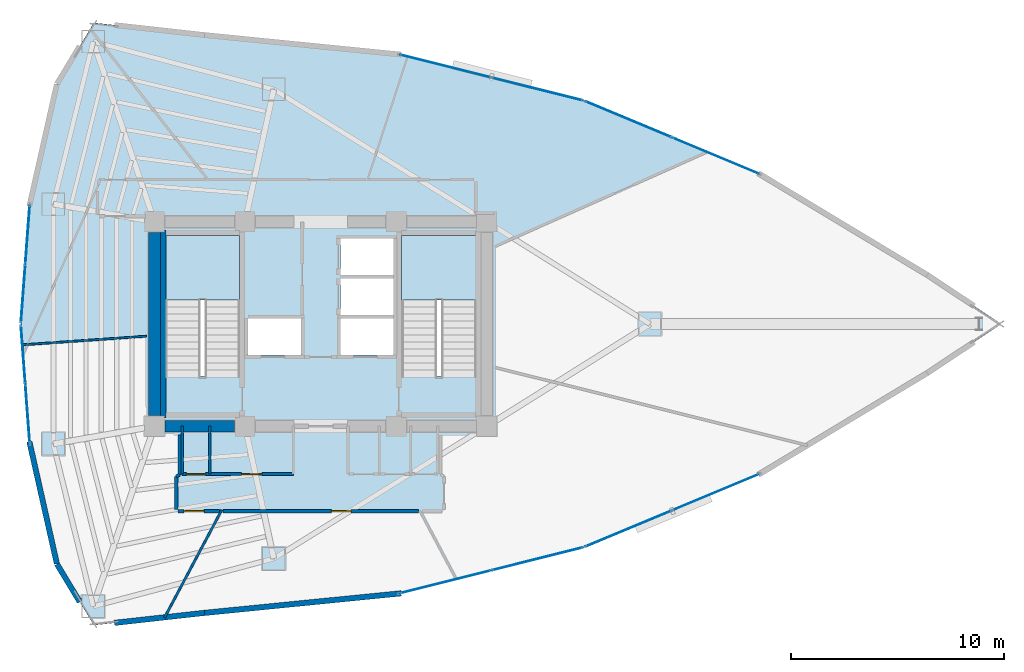
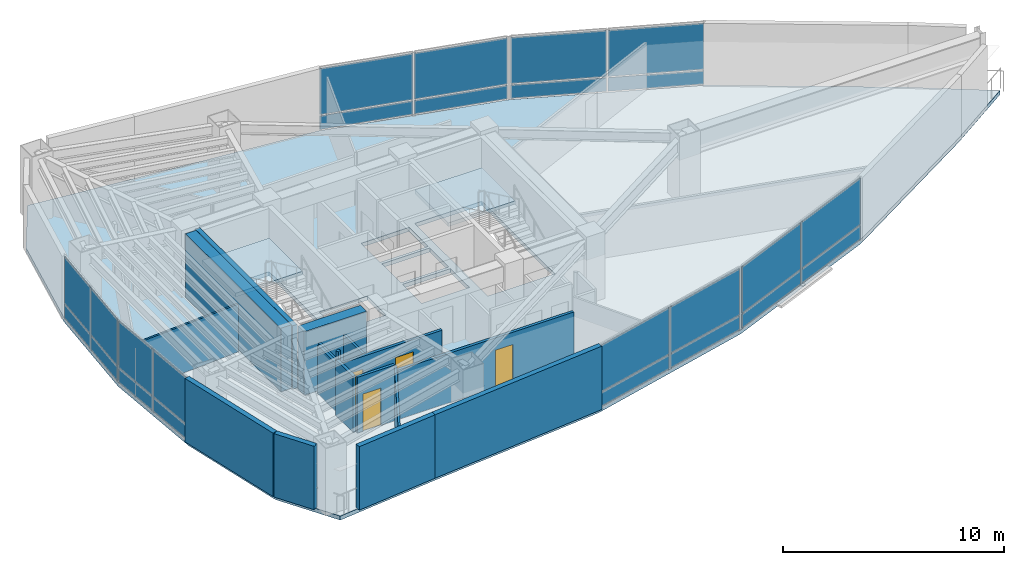
# One storey, part 13 of 18: 24 plates, 17 walls, 4 doors, 3 slabs, 4 openings, 8 elements without a shape of their own.
"""IFC4 building model written with IfcOpenShell, lengths in metres."""

from ifc_helpers import new_model, si_unit, direction, frame, frame_2d, origin, origin_2d, place, context, subcontext, project, spatial, polyline, rectangle, outline, extrude, material, layer, layer_set, type_object, element, fill, aggregate, save


model = new_model("IFC4")

# Units and contexts
model_context = context("Model", 3, precision=1e-05, world=origin(), true_north=direction((0.0, 1.0)))
body_context = subcontext(model_context, "Body", "Model", "MODEL_VIEW")
ifc_project = project(units=[si_unit("LENGTHUNIT", "METRE"), si_unit("AREAUNIT", "SQUARE_METRE"), si_unit("VOLUMEUNIT", "CUBIC_METRE"), si_unit("PLANEANGLEUNIT", "RADIAN"), si_unit("MASSUNIT", "GRAM", prefix="KILO")], contexts=[model_context])

# Site, building, storey
site_placement = place(None, origin())
site = spatial("IfcSite", under=ifc_project, at=site_placement, CompositionType="ELEMENT")
building_placement = place(site_placement, origin())
building = spatial("IfcBuilding", under=site, at=building_placement, Name="Menara Vayukalpa", CompositionType="ELEMENT")
storey_placement = place(building_placement, frame((0.0, 0.0, 158.0400390625)))
storey = spatial("IfcBuildingStorey", under=building, at=storey_placement, Name="L39", CompositionType="ELEMENT", Elevation=158.0400390625)

# Curtain wall, plates
ifc_material_1 = material(Name="Anodised Terracotta Aluminium Alloy 6063-T6", Category="masonry")
ifc_layer_1 = layer(ifc_material_1, 0.179931640625)
ifc_layer_set_1 = layer_set([ifc_layer_1], Name="Anodised Terracotta Aluminium Alloy 6063-T6")
curtain_wall_type = type_object("IfcCurtainWallType", Name="CW-CW4", PredefinedType="USERDEFINED", material=ifc_layer_set_1)
curtain_wall_1_placement = place(storey_placement, origin())
curtain_wall_1 = element("IfcCurtainWall", 1, at=curtain_wall_1_placement, inside=storey, type_object=curtain_wall_type, Name="L39 Sky Bar Cantilever Glazed Curtain Wall CW4 04", ObjectType="UNITISED", PredefinedType="USERDEFINED")
ifc_material_2 = material(Name="Low-E Double Glazing", Category="glass")
ifc_layer_2 = layer(ifc_material_2, 0.0380859375)
ifc_layer_set_2 = layer_set([ifc_layer_2], Name="Low-E Double Glazing")
plate_type = type_object("IfcPlateType", Name="CWP-CW4", PredefinedType="CURTAIN_PANEL", material=ifc_layer_set_2)
plate_1_placement = place(storey_placement, frame((44.1494140625, 29.8955078125, 0.06982421875), z_axis=(0.0, 0.0, 1.0), x_axis=(-0.922878459104, 0.385091352437, 0.0)))
plate_1 = element("IfcPlate", 2, at=plate_1_placement, type_object=plate_type, Name="CW4 panel 1.1", PredefinedType="CURTAIN_PANEL", context=body_context, shape_type="SweptSolid", body=[
    extrude(rectangle(XDim=4.369873046875, YDim=0.0380859375, at=origin_2d()), origin(), (0.0, 0.0, 1.0), 0.7451171875),
])
plate_2_placement = place(storey_placement, frame((44.1494140625, 29.8955078125, 0.885009765625), z_axis=(0.0, 0.0, 1.0), x_axis=(-0.922878459104, 0.385091352437, 0.0)))
plate_2 = element("IfcPlate", 3, at=plate_2_placement, type_object=plate_type, Name="CW4 panel 1.2", PredefinedType="CURTAIN_PANEL", context=body_context, shape_type="SweptSolid", body=[
    extrude(rectangle(XDim=4.369873046875, YDim=0.0380859375, at=origin_2d()), origin(), (0.0, 0.0, 1.0), 2.544921875),
])
plate_3_placement = place(storey_placement, frame((40.04736328125, 31.607421875, 0.06982421875), z_axis=(0.0, 0.0, 1.0), x_axis=(-0.922878459104, 0.385091352437, 0.0)))
plate_3 = element("IfcPlate", 4, at=plate_3_placement, type_object=plate_type, Name="CW4 panel 2.1", PredefinedType="CURTAIN_PANEL", context=body_context, shape_type="SweptSolid", body=[
    extrude(rectangle(XDim=4.369873046875, YDim=0.0380859375, at=origin_2d()), origin(), (0.0, 0.0, 1.0), 0.7451171875),
])
plate_4_placement = place(storey_placement, frame((40.04736328125, 31.607421875, 0.885009765625), z_axis=(0.0, 0.0, 1.0), x_axis=(-0.922878459104, 0.385091352437, 0.0)))
plate_4 = element("IfcPlate", 5, at=plate_4_placement, type_object=plate_type, Name="CW4 panel 2.2", PredefinedType="CURTAIN_PANEL", context=body_context, shape_type="SweptSolid", body=[
    extrude(rectangle(XDim=4.369873046875, YDim=0.0380859375, at=origin_2d()), origin(), (0.0, 0.0, 1.0), 2.544921875),
])
aggregate(curtain_wall_1, [plate_1, plate_2, plate_3, plate_4])

curtain_wall_2_placement = place(storey_placement, origin())
curtain_wall_2 = element("IfcCurtainWall", 6, at=curtain_wall_2_placement, inside=storey, type_object=curtain_wall_type, Name="L39 Sky Bar Cantilever Glazed Curtain Wall CW4 05", ObjectType="UNITISED", PredefinedType="USERDEFINED")
plate_5_placement = place(storey_placement, frame((35.76953125, 33.027099609375, 0.06982421875), z_axis=(0.0, 0.0, 1.0), x_axis=(-0.969997975566, 0.243112993066, 0.0)))
plate_5 = element("IfcPlate", 7, at=plate_5_placement, type_object=plate_type, Name="CW4 panel 1.1", PredefinedType="CURTAIN_PANEL", context=body_context, shape_type="SweptSolid", body=[
    extrude(rectangle(XDim=4.369873046875, YDim=0.0380859375, at=origin_2d()), origin(), (0.0, 0.0, 1.0), 0.7451171875),
])
plate_6_placement = place(storey_placement, frame((35.76953125, 33.027099609375, 0.885009765625), z_axis=(0.0, 0.0, 1.0), x_axis=(-0.969997975566, 0.243112993066, 0.0)))
plate_6 = element("IfcPlate", 8, at=plate_6_placement, type_object=plate_type, Name="CW4 panel 1.2", PredefinedType="CURTAIN_PANEL", context=body_context, shape_type="SweptSolid", body=[
    extrude(rectangle(XDim=4.369873046875, YDim=0.0380859375, at=origin_2d()), origin(), (0.0, 0.0, 1.0), 2.544921875),
])
plate_7_placement = place(storey_placement, frame((31.4580078125, 34.107666015625, 0.06982421875), z_axis=(0.0, 0.0, 1.0), x_axis=(-0.969997975566, 0.243112993066, 0.0)))
plate_7 = element("IfcPlate", 9, at=plate_7_placement, type_object=plate_type, Name="CW4 panel 2.1", PredefinedType="CURTAIN_PANEL", context=body_context, shape_type="SweptSolid", body=[
    extrude(rectangle(XDim=4.369873046875, YDim=0.0380859375, at=origin_2d()), origin(), (0.0, 0.0, 1.0), 0.7451171875),
])
plate_8_placement = place(storey_placement, frame((31.4580078125, 34.107666015625, 0.885009765625), z_axis=(0.0, 0.0, 1.0), x_axis=(-0.969997975566, 0.243112993066, 0.0)))
plate_8 = element("IfcPlate", 10, at=plate_8_placement, type_object=plate_type, Name="CW4 panel 2.2", PredefinedType="CURTAIN_PANEL", context=body_context, shape_type="SweptSolid", body=[
    extrude(rectangle(XDim=4.369873046875, YDim=0.0380859375, at=origin_2d()), origin(), (0.0, 0.0, 1.0), 2.544921875),
])
aggregate(curtain_wall_2, [plate_5, plate_6, plate_7, plate_8])

curtain_wall_3_placement = place(storey_placement, origin())
curtain_wall_3 = element("IfcCurtainWall", 11, at=curtain_wall_3_placement, inside=storey, type_object=curtain_wall_type, Name="L39 Sky Bar Cantilever Glazed Curtain Wall CW4 10", ObjectType="UNITISED", PredefinedType="USERDEFINED")
plate_9_placement = place(storey_placement, frame((11.842041015625, 26.205078125, 0.06982421875), z_axis=(0.0, 0.0, 1.0), x_axis=(-0.074792589364, -0.997199111801, 0.0)))
plate_9 = element("IfcPlate", 12, at=plate_9_placement, type_object=plate_type, Name="CW4 panel 1.1", PredefinedType="CURTAIN_PANEL", context=body_context, shape_type="SweptSolid", body=[
    extrude(rectangle(XDim=2.71142578125, YDim=0.0380859375, at=origin_2d()), origin(), (0.0, 0.0, 1.0), 0.7451171875),
])
plate_10_placement = place(storey_placement, frame((11.842041015625, 26.205078125, 0.885009765625), z_axis=(0.0, 0.0, 1.0), x_axis=(-0.074792589364, -0.997199111801, 0.0)))
plate_10 = element("IfcPlate", 13, at=plate_10_placement, type_object=plate_type, Name="CW4 panel 1.2", PredefinedType="CURTAIN_PANEL", context=body_context, shape_type="SweptSolid", body=[
    extrude(rectangle(XDim=2.71142578125, YDim=0.0380859375, at=origin_2d()), origin(), (0.0, 0.0, 1.0), 2.544921875),
])
plate_11_placement = place(storey_placement, frame((11.6337890625, 23.4267578125, 0.06982421875), z_axis=(0.0, 0.0, 1.0), x_axis=(-0.074792589364, -0.997199111801, 0.0)))
plate_11 = element("IfcPlate", 14, at=plate_11_placement, type_object=plate_type, Name="CW4 panel 2.1", PredefinedType="CURTAIN_PANEL", context=body_context, shape_type="SweptSolid", body=[
    extrude(rectangle(XDim=2.71142578125, YDim=0.0380859375, at=origin_2d()), origin(), (0.0, 0.0, 1.0), 0.7451171875),
])
plate_12_placement = place(storey_placement, frame((11.6337890625, 23.4267578125, 0.885009765625), z_axis=(0.0, 0.0, 1.0), x_axis=(-0.074792589364, -0.997199111801, 0.0)))
plate_12 = element("IfcPlate", 15, at=plate_12_placement, type_object=plate_type, Name="CW4 panel 2.2", PredefinedType="CURTAIN_PANEL", context=body_context, shape_type="SweptSolid", body=[
    extrude(rectangle(XDim=2.71142578125, YDim=0.0380859375, at=origin_2d()), origin(), (0.0, 0.0, 1.0), 2.544921875),
])
aggregate(curtain_wall_3, [plate_9, plate_10, plate_11, plate_12])

curtain_wall_4_placement = place(storey_placement, origin())
curtain_wall_4 = element("IfcCurtainWall", 16, at=curtain_wall_4_placement, inside=storey, type_object=curtain_wall_type, Name="L39 Sky Bar Cantilever Glazed Curtain Wall CW4 11", ObjectType="UNITISED", PredefinedType="USERDEFINED")
plate_13_placement = place(storey_placement, frame((11.6337890625, 20.5732421875, 0.06982421875), z_axis=(0.0, 0.0, 1.0), x_axis=(0.074792589364, -0.997199111801, 0.0)))
plate_13 = element("IfcPlate", 17, at=plate_13_placement, type_object=plate_type, Name="CW4 panel 1.1", PredefinedType="CURTAIN_PANEL", context=body_context, shape_type="SweptSolid", body=[
    extrude(rectangle(XDim=2.71142578125, YDim=0.0380859375, at=origin_2d()), origin(), (0.0, 0.0, 1.0), 0.7451171875),
])
plate_14_placement = place(storey_placement, frame((11.6337890625, 20.5732421875, 0.885009765625), z_axis=(0.0, 0.0, 1.0), x_axis=(0.074792589364, -0.997199111801, 0.0)))
plate_14 = element("IfcPlate", 18, at=plate_14_placement, type_object=plate_type, Name="CW4 panel 1.2", PredefinedType="CURTAIN_PANEL", context=body_context, shape_type="SweptSolid", body=[
    extrude(rectangle(XDim=2.71142578125, YDim=0.0380859375, at=origin_2d()), origin(), (0.0, 0.0, 1.0), 2.544921875),
])
plate_15_placement = place(storey_placement, frame((11.842041015625, 17.794921875, 0.06982421875), z_axis=(0.0, 0.0, 1.0), x_axis=(0.074792589364, -0.997199111801, 0.0)))
plate_15 = element("IfcPlate", 19, at=plate_15_placement, type_object=plate_type, Name="CW4 panel 2.1", PredefinedType="CURTAIN_PANEL", context=body_context, shape_type="SweptSolid", body=[
    extrude(rectangle(XDim=2.71142578125, YDim=0.0380859375, at=origin_2d()), origin(), (0.0, 0.0, 1.0), 0.7451171875),
])
plate_16_placement = place(storey_placement, frame((11.842041015625, 17.794921875, 0.885009765625), z_axis=(0.0, 0.0, 1.0), x_axis=(0.074792589364, -0.997199111801, 0.0)))
plate_16 = element("IfcPlate", 20, at=plate_16_placement, type_object=plate_type, Name="CW4 panel 2.2", PredefinedType="CURTAIN_PANEL", context=body_context, shape_type="SweptSolid", body=[
    extrude(rectangle(XDim=2.71142578125, YDim=0.0380859375, at=origin_2d()), origin(), (0.0, 0.0, 1.0), 2.544921875),
])
aggregate(curtain_wall_4, [plate_13, plate_14, plate_15, plate_16])

curtain_wall_5_placement = place(storey_placement, origin())
curtain_wall_5 = element("IfcCurtainWall", 21, at=curtain_wall_5_placement, inside=storey, type_object=curtain_wall_type, Name="L39 Sky Bar Cantilever Glazed Curtain Wall CW4 16", ObjectType="UNITISED", PredefinedType="USERDEFINED")
plate_17_placement = place(storey_placement, frame((31.4580078125, 9.892333984375, 0.06982421875), z_axis=(0.0, 0.0, 1.0), x_axis=(0.969997975566, 0.243112993066, 0.0)))
plate_17 = element("IfcPlate", 22, at=plate_17_placement, type_object=plate_type, Name="CW4 panel 1.1", PredefinedType="CURTAIN_PANEL", context=body_context, shape_type="SweptSolid", body=[
    extrude(rectangle(XDim=4.369873046875, YDim=0.0380859375, at=origin_2d()), origin(), (0.0, 0.0, 1.0), 0.7451171875),
])
plate_18_placement = place(storey_placement, frame((31.4580078125, 9.892333984375, 0.885009765625), z_axis=(0.0, 0.0, 1.0), x_axis=(0.969997975566, 0.243112993066, 0.0)))
plate_18 = element("IfcPlate", 23, at=plate_18_placement, type_object=plate_type, Name="CW4 panel 1.2", PredefinedType="CURTAIN_PANEL", context=body_context, shape_type="SweptSolid", body=[
    extrude(rectangle(XDim=4.369873046875, YDim=0.0380859375, at=origin_2d()), origin(), (0.0, 0.0, 1.0), 2.544921875),
])
plate_19_placement = place(storey_placement, frame((35.76953125, 10.972900390625, 0.06982421875), z_axis=(0.0, 0.0, 1.0), x_axis=(0.969997975566, 0.243112993066, 0.0)))
plate_19 = element("IfcPlate", 24, at=plate_19_placement, type_object=plate_type, Name="CW4 panel 2.1", PredefinedType="CURTAIN_PANEL", context=body_context, shape_type="SweptSolid", body=[
    extrude(rectangle(XDim=4.369873046875, YDim=0.0380859375, at=origin_2d()), origin(), (0.0, 0.0, 1.0), 0.7451171875),
])
plate_20_placement = place(storey_placement, frame((35.76953125, 10.972900390625, 0.885009765625), z_axis=(0.0, 0.0, 1.0), x_axis=(0.969997975566, 0.243112993066, 0.0)))
plate_20 = element("IfcPlate", 25, at=plate_20_placement, type_object=plate_type, Name="CW4 panel 2.2", PredefinedType="CURTAIN_PANEL", context=body_context, shape_type="SweptSolid", body=[
    extrude(rectangle(XDim=4.369873046875, YDim=0.0380859375, at=origin_2d()), origin(), (0.0, 0.0, 1.0), 2.544921875),
])
aggregate(curtain_wall_5, [plate_17, plate_18, plate_19, plate_20])

curtain_wall_6_placement = place(storey_placement, origin())
curtain_wall_6 = element("IfcCurtainWall", 26, at=curtain_wall_6_placement, inside=storey, type_object=curtain_wall_type, Name="L39 Sky Bar Cantilever Glazed Curtain Wall CW4 17", ObjectType="UNITISED", PredefinedType="USERDEFINED")
plate_21_placement = place(storey_placement, frame((40.04736328125, 12.392578125, 0.06982421875), z_axis=(0.0, 0.0, 1.0), x_axis=(0.922878459104, 0.385091352437, 0.0)))
plate_21 = element("IfcPlate", 27, at=plate_21_placement, type_object=plate_type, Name="CW4 panel 1.1", PredefinedType="CURTAIN_PANEL", context=body_context, shape_type="SweptSolid", body=[
    extrude(rectangle(XDim=4.369873046875, YDim=0.0380859375, at=origin_2d()), origin(), (0.0, 0.0, 1.0), 0.7451171875),
])
plate_22_placement = place(storey_placement, frame((40.04736328125, 12.392578125, 0.885009765625), z_axis=(0.0, 0.0, 1.0), x_axis=(0.922878459104, 0.385091352437, 0.0)))
plate_22 = element("IfcPlate", 28, at=plate_22_placement, type_object=plate_type, Name="CW4 panel 1.2", PredefinedType="CURTAIN_PANEL", context=body_context, shape_type="SweptSolid", body=[
    extrude(rectangle(XDim=4.369873046875, YDim=0.0380859375, at=origin_2d()), origin(), (0.0, 0.0, 1.0), 2.544921875),
])
plate_23_placement = place(storey_placement, frame((44.1494140625, 14.1044921875, 0.06982421875), z_axis=(0.0, 0.0, 1.0), x_axis=(0.922878459104, 0.385091352437, 0.0)))
plate_23 = element("IfcPlate", 29, at=plate_23_placement, type_object=plate_type, Name="CW4 panel 2.1", PredefinedType="CURTAIN_PANEL", context=body_context, shape_type="SweptSolid", body=[
    extrude(rectangle(XDim=4.369873046875, YDim=0.0380859375, at=origin_2d()), origin(), (0.0, 0.0, 1.0), 0.7451171875),
])
plate_24_placement = place(storey_placement, frame((44.1494140625, 14.1044921875, 0.885009765625), z_axis=(0.0, 0.0, 1.0), x_axis=(0.922878459104, 0.385091352437, 0.0)))
plate_24 = element("IfcPlate", 30, at=plate_24_placement, type_object=plate_type, Name="CW4 panel 2.2", PredefinedType="CURTAIN_PANEL", context=body_context, shape_type="SweptSolid", body=[
    extrude(rectangle(XDim=4.369873046875, YDim=0.0380859375, at=origin_2d()), origin(), (0.0, 0.0, 1.0), 2.544921875),
])
aggregate(curtain_wall_6, [plate_21, plate_22, plate_23, plate_24])

# Slab
ifc_material_3 = material(Name="Concrete C40/50", Category="concrete")
ifc_layer_3 = layer(ifc_material_3, 0.219970703125)
ifc_layer_set_3 = layer_set([ifc_layer_3], Name="Concrete C40/50")
slab_type_1 = type_object("IfcSlabType", Name="SLB-FL220", PredefinedType="FLOOR", material=ifc_layer_set_3)
slab_1_placement = place(storey_placement, frame((0.0, 0.0, -0.219970703125)))
element("IfcSlab", 31, at=slab_1_placement, inside=storey, type_object=slab_type_1, Name="L39 Sky Bar Structural Floor Slab", PredefinedType="FLOOR", context=body_context, shape_type="SweptSolid", body=[
    extrude(outline(polyline([(54.086181640625, 19.69970703125), (57.552001953125, 22.0), (54.086181640625, 24.30029296875), (46.235107421875, 29.025390625), (37.961669921875, 32.4775390625), (29.265625, 34.656982421875), (20.1474609375, 35.56396484375), (14.948974609375, 36.13916015625), (13.21630859375, 33.263671875), (11.94921875, 27.6318359375), (11.526611328125, 22.0), (11.94921875, 16.3681640625), (13.21630859375, 10.736328125), (14.948974609375, 7.86083984375), (20.1474609375, 8.43603515625), (29.265625, 9.343017578125), (37.961669921875, 11.5224609375), (46.235107421875, 14.974609375), (54.086181640625, 19.69970703125)]), holes=[polyline([(21.800048828125, 19.550048828125), (21.800048828125, 26.14990234375), (18.300048828125, 26.14990234375), (18.300048828125, 19.550048828125), (21.800048828125, 19.550048828125)]), polyline([(32.89990234375, 19.550048828125), (32.89990234375, 26.14990234375), (29.39990234375, 26.14990234375), (29.39990234375, 19.550048828125), (32.89990234375, 19.550048828125)]), polyline([(22.179931640625, 20.550048828125), (24.679931640625, 20.550048828125), (24.679931640625, 22.27001953125), (22.179931640625, 22.27001953125), (22.179931640625, 20.550048828125)]), polyline([(26.52001953125, 20.550048828125), (29.02001953125, 20.550048828125), (29.02001953125, 22.27001953125), (26.52001953125, 22.27001953125), (26.52001953125, 20.550048828125)]), polyline([(26.52001953125, 24.2900390625), (29.02001953125, 24.2900390625), (29.02001953125, 26.010009765625), (26.52001953125, 26.010009765625), (26.52001953125, 24.2900390625)]), polyline([(26.52001953125, 22.419921875), (29.02001953125, 22.419921875), (29.02001953125, 24.139892578125), (26.52001953125, 24.139892578125), (26.52001953125, 22.419921875)])]), origin(), (0.0, 0.0, 1.0), 0.219970703125),
])

# Stair, slab
ifc_material_4 = material(Name="Precast Concrete C40/50", Category="concrete")
stair_type = type_object("IfcStairType", Name="STR-T04", PredefinedType="DOUBLE_RETURN_STAIR", material=ifc_material_4)
stair_1_placement = place(storey_placement, origin())
stair_1 = element("IfcStair", 32, at=stair_1_placement, inside=storey, type_object=stair_type, Name="L39 Core Exit Stair ST-1", PredefinedType="DOUBLE_RETURN_STAIR")
ifc_material_5 = material(Name="Precast Concrete C40/50", Category="concrete")
ifc_layer_4 = layer(ifc_material_5, 0.199951171875)
ifc_layer_set_4 = layer_set([ifc_layer_4], Name="Precast Concrete C40/50")
slab_type_2 = type_object("IfcSlabType", Name="SLB-LND200", PredefinedType="LANDING", material=ifc_layer_set_4)
slab_2_placement = place(storey_placement, frame((0.0, 0.0, 1.659912109375)))
slab_2 = element("IfcSlab", 33, at=slab_2_placement, type_object=slab_type_2, Name="ST-1 landing 1", PredefinedType="LANDING", context=body_context, shape_type="SweptSolid", body=[
    extrude(outline(polyline([(21.800048828125, 23.1298828125), (21.800048828125, 26.14990234375), (18.300048828125, 26.14990234375), (18.300048828125, 23.1298828125), (21.800048828125, 23.1298828125)])), origin(), (0.0, 0.0, 1.0), 0.199951171875),
])
aggregate(stair_1, [slab_2])

stair_2_placement = place(storey_placement, origin())
stair_2 = element("IfcStair", 34, at=stair_2_placement, inside=storey, type_object=stair_type, Name="L39 Core Exit Stair ST-2", PredefinedType="DOUBLE_RETURN_STAIR")
slab_3_placement = place(storey_placement, frame((0.0, 0.0, 1.659912109375)))
slab_3 = element("IfcSlab", 35, at=slab_3_placement, type_object=slab_type_2, Name="ST-2 landing 1", PredefinedType="LANDING", context=body_context, shape_type="SweptSolid", body=[
    extrude(outline(polyline([(32.89990234375, 23.1298828125), (32.89990234375, 26.14990234375), (29.39990234375, 26.14990234375), (29.39990234375, 23.1298828125), (32.89990234375, 23.1298828125)])), origin(), (0.0, 0.0, 1.0), 0.199951171875),
])
aggregate(stair_2, [slab_3])

# Walls
ifc_material_6 = material(Name="Concrete C60/75", Category="concrete")
ifc_layer_5 = layer(ifc_material_6, 0.550048828125)
ifc_layer_set_5 = layer_set([ifc_layer_5], Name="Concrete C60/75")
wall_type_1 = type_object("IfcWallType", Name="WAL-CW550", PredefinedType="SHEAR", material=ifc_layer_set_5)
wall_1_placement = place(storey_placement, frame((18.294921875, 17.199951171875, 0.0), z_axis=(0.0, 0.0, 1.0), x_axis=(1.0, 0.0, 0.0)))
element("IfcWall", 36, at=wall_1_placement, inside=storey, type_object=wall_type_1, Name="L39 Buttressed Core Shear Wall CWS1", PredefinedType="SHEAR", context=body_context, shape_type="SweptSolid", body=[
    extrude(rectangle(XDim=3.260009765625, YDim=0.550048828125, at=frame_2d((1.6298828125, 0.0))), origin(), (0.0, 0.0, 1.0), 3.5),
])
wall_2_placement = place(storey_placement, frame((17.800048828125, 17.695068359375, 0.0), z_axis=(0.0, 0.0, 1.0), x_axis=(0.0, 1.0, 0.0)))
element("IfcWall", 37, at=wall_2_placement, inside=storey, type_object=wall_type_1, Name="L39 Buttressed Core Shear Wall CWW1", PredefinedType="SHEAR", context=body_context, shape_type="SweptSolid", body=[
    extrude(rectangle(XDim=8.60986328125, YDim=0.550048828125, at=frame_2d((4.304931640625, 0.0))), origin(), (0.0, 0.0, 1.0), 3.5),
])
ifc_material_7 = material(Name="Insulated Precast Concrete C40/50", Category="concrete")
ifc_layer_6 = layer(ifc_material_7, 0.260009765625)
ifc_layer_set_6 = layer_set([ifc_layer_6], Name="Insulated Precast Concrete C40/50")
wall_type_2 = type_object("IfcWallType", Name="WAL-EXT260", PredefinedType="PARTITIONING", material=ifc_layer_set_6)
wall_3_placement = place(storey_placement, frame((13.214111328125, 10.745849609375, 0.0), z_axis=(0.0, 0.0, 1.0), x_axis=(-0.219491422264, 0.975614429758, 0.0)))
element("IfcWall", 38, at=wall_3_placement, inside=storey, type_object=wall_type_2, Name="L39 Perimeter Terracotta Pier Wall 12", PredefinedType="PARTITIONING", context=body_context, shape_type="SweptSolid", body=[
    extrude(rectangle(XDim=5.873046875, YDim=0.260009765625, at=frame_2d((2.9365234375, 0.0))), origin(), (0.0, 0.0, 1.0), 3.5),
])
wall_4_placement = place(storey_placement, frame((14.291259765625, 8.9521484375, 0.0), z_axis=(0.0, 0.0, 1.0), x_axis=(-0.516157331647, 0.856493788061, 0.0)))
element("IfcWall", 39, at=wall_4_placement, inside=storey, type_object=wall_type_2, Name="L39 Perimeter Terracotta Pier Wall 13", PredefinedType="PARTITIONING", context=body_context, shape_type="SweptSolid", body=[
    extrude(rectangle(XDim=2.0732421875, YDim=0.260009765625, at=frame_2d((1.03662109375, 0.0))), origin(), (0.0, 0.0, 1.0), 3.5),
])
wall_5_placement = place(storey_placement, frame((20.1533203125, 8.436767578125, 0.0), z_axis=(0.0, 0.0, 1.0), x_axis=(-0.993933978819, -0.109978387641, 0.0)))
element("IfcWall", 40, at=wall_5_placement, inside=storey, type_object=wall_type_2, Name="L39 Perimeter Terracotta Pier Wall 14", PredefinedType="PARTITIONING", context=body_context, shape_type="SweptSolid", body=[
    extrude(rectangle(XDim=4.2578125, YDim=0.260009765625, at=frame_2d((2.12890625, 0.0))), origin(), (0.0, 0.0, 1.0), 3.5),
])
wall_6_placement = place(storey_placement, frame((29.375244140625, 9.353759765625, 0.0), z_axis=(0.0, 0.0, 1.0), x_axis=(-0.9950896707, -0.098977508888, 0.0)))
element("IfcWall", 41, at=wall_6_placement, inside=storey, type_object=wall_type_2, Name="L39 Perimeter Terracotta Pier Wall 15", PredefinedType="PARTITIONING", context=body_context, shape_type="SweptSolid", body=[
    extrude(rectangle(XDim=9.279541015625, YDim=0.260009765625, at=frame_2d((4.6396484375, 0.0))), origin(), (0.0, 0.0, 1.0), 3.5),
])
ifc_material_8 = material(Name="Glazed Demountable Office Partition", Category="glass")
ifc_layer_7 = layer(ifc_material_8, 0.094970703125)
ifc_layer_set_7 = layer_set([ifc_layer_7], Name="Glazed Demountable Office Partition")
wall_type_3 = type_object("IfcWallType", Name="WAL-PT100", PredefinedType="PARTITIONING", material=ifc_layer_set_7)
wall_7_placement = place(storey_placement, frame((17.429931640625, 21.4287109375, 0.0), z_axis=(0.0, 0.0, 1.0), x_axis=(-0.997563032527, -0.069771026481, 0.0)))
element("IfcWall", 42, at=wall_7_placement, inside=storey, type_object=wall_type_3, Name="L39 Interior Partition IW-L39-RDIV04", PredefinedType="PARTITIONING", context=body_context, shape_type="SweptSolid", body=[
    extrude(rectangle(XDim=5.85400390625, YDim=0.094970703125, at=frame_2d((2.927001953125, 0.0))), origin(), (0.0, 0.0, 1.0), 2.6298828125),
])
ifc_material_9 = material(Name="Acoustic Mineral Stud Partition", Category="masonry")
ifc_layer_8 = layer(ifc_material_9, 0.110107421875)
ifc_layer_set_8 = layer_set([ifc_layer_8], Name="Acoustic Mineral Stud Partition")
wall_type_4 = type_object("IfcWallType", Name="WAL-PT110", PredefinedType="PARTITIONING", material=ifc_layer_set_8)
wall_8_placement = place(storey_placement, frame((20.39990234375, 14.949951171875, 0.0), z_axis=(0.0, 0.0, 1.0), x_axis=(0.0, 1.0, 0.0)))
element("IfcWall", 43, at=wall_8_placement, inside=storey, type_object=wall_type_4, Name="L39 Interior Partition IW-L39-SVCD-02", PredefinedType="PARTITIONING", context=body_context, shape_type="SweptSolid", body=[
    extrude(rectangle(XDim=2.25, YDim=0.110107421875, at=frame_2d((1.125, 0.0))), origin(), (0.0, 0.0, 1.0), 2.6298828125),
])
wall_9_placement = place(storey_placement, frame((20.952880859375, 13.260009765625, 0.0), z_axis=(0.0, 0.0, 1.0), x_axis=(-0.469478237377, -0.882944043883, 0.0)))
element("IfcWall", 44, at=wall_9_placement, inside=storey, type_object=wall_type_4, Name="L39 Interior Partition IW-L39-RDIV05", PredefinedType="PARTITIONING", context=body_context, shape_type="SweptSolid", body=[
    extrude(rectangle(XDim=5.7099609375, YDim=0.110107421875, at=frame_2d((2.85498046875, 0.0))), origin(), (0.0, 0.0, 1.0), 2.929931640625),
])
ifc_material_10 = material(Name="Gypsum Drywall Steel Stud Assembly", Category="steel")
ifc_layer_9 = layer(ifc_material_10, 0.125)
ifc_layer_set_9 = layer_set([ifc_layer_9], Name="Gypsum Drywall Steel Stud Assembly")
wall_type_5 = type_object("IfcWallType", Name="WAL-PT125", PredefinedType="PARTITIONING", material=ifc_layer_set_9)
wall_10_placement = place(storey_placement, frame((19.10009765625, 14.949951171875, 0.0), z_axis=(0.0, 0.0, 1.0), x_axis=(0.0, 1.0, 0.0)))
element("IfcWall", 45, at=wall_10_placement, inside=storey, type_object=wall_type_5, Name="L39 Interior Partition IW-L39-SVCD-01", PredefinedType="PARTITIONING", context=body_context, shape_type="SweptSolid", body=[
    extrude(rectangle(XDim=2.25, YDim=0.125, at=frame_2d((1.125, 0.0))), origin(), (0.0, 0.0, 1.0), 2.6298828125),
])

# Wall, openings, doors
ifc_material_11 = material(Name="Gypsum Drywall Acoustic Stud Assembly", Category="masonry")
ifc_layer_10 = layer(ifc_material_11, 0.14501953125)
ifc_layer_set_10 = layer_set([ifc_layer_10], Name="Gypsum Drywall Acoustic Stud Assembly")
wall_type_6 = type_object("IfcWallType", Name="WAL-PT150", PredefinedType="PARTITIONING", material=ifc_layer_set_10)
wall_11_placement = place(storey_placement, frame((19.10009765625, 14.949951171875, 0.0), z_axis=(0.0, 0.0, 1.0), x_axis=(1.0, 0.0, 0.0)))
wall_11 = element("IfcWall", 46, at=wall_11_placement, inside=storey, type_object=wall_type_6, Name="L39 Interior Partition IW-L39-SVCS-W", PredefinedType="PARTITIONING", context=body_context, shape_type="SweptSolid", body=[
    extrude(rectangle(XDim=5.219970703125, YDim=0.14501953125, at=frame_2d((2.60986328125, 0.0))), origin(), (0.0, 0.0, 1.0), 2.72998046875),
])
opening_1_placement = place(wall_11_placement, frame((0.199951171875, 0.0, 0.0)))
opening_1 = element("IfcOpeningElement", 47, at=opening_1_placement, cuts=wall_11, Name="Opening ID7", PredefinedType="OPENING", context=body_context, shape_type="SweptSolid", body=[
    extrude(rectangle(XDim=0.89990234375, YDim=2.02001953125, at=frame_2d((0.449951171875, 1.010009765625))), frame((0.0, 0.08251953125, 0.0), z_axis=(0.0, -1.0, 0.0), x_axis=(1.0, 0.0, 0.0)), (0.0, 0.0, 1.0), 0.1650390625),
])
opening_2_placement = place(wall_11_placement, frame((2.784912109375, 0.0, 0.0)))
opening_2 = element("IfcOpeningElement", 48, at=opening_2_placement, cuts=wall_11, Name="Opening ID5", PredefinedType="OPENING", context=body_context, shape_type="SweptSolid", body=[
    extrude(rectangle(XDim=0.949951171875, YDim=2.06005859375, at=frame_2d((0.47509765625, 1.030029296875))), frame((0.0, 0.08251953125, 0.0), z_axis=(0.0, -1.0, 0.0), x_axis=(1.0, 0.0, 0.0)), (0.0, 0.0, 1.0), 0.1650390625),
])
ifc_material_12 = material(Name="Acoustic Hardwood Veneer Timber Door", Category="wood")
door_type_1 = type_object("IfcDoorType", Name="DR-INT95", OperationType="NOTDEFINED", PredefinedType="DOOR", material=ifc_material_12)
door_1_placement = place(opening_2_placement, origin())
door_1 = element("IfcDoor", 49, at=door_1_placement, inside=storey, type_object=door_type_1, Name="L39 Interior Door DR-L39-AWC", OperationType="SINGLE_SWING_LEFT", OverallHeight=2.06005859375, OverallWidth=0.949951171875, PredefinedType="DOOR", context=body_context, shape_type="SweptSolid", body=[
    extrude(rectangle(XDim=0.949951171875, YDim=2.06005859375, at=frame_2d((0.47509765625, 1.030029296875))), frame((0.0, 0.02490234375, 0.0), z_axis=(0.0, -1.0, 0.0), x_axis=(1.0, 0.0, 0.0)), (0.0, 0.0, 1.0), 0.050048828125),
])
fill(opening_2, door_1)
ifc_material_13 = material(Name="Powder-Coated Steel Riser Access Door", Category="steel")
door_type_2 = type_object("IfcDoorType", Name="DR-RISER", OperationType="NOTDEFINED", PredefinedType="DOOR", material=ifc_material_13)
door_2_placement = place(opening_1_placement, origin())
door_2 = element("IfcDoor", 50, at=door_2_placement, inside=storey, type_object=door_type_2, Name="L39 Interior Door DR-L39-ELR", OperationType="SINGLE_SWING_RIGHT", OverallHeight=2.02001953125, OverallWidth=0.89990234375, PredefinedType="DOOR", context=body_context, shape_type="SweptSolid", body=[
    extrude(rectangle(XDim=0.89990234375, YDim=2.02001953125, at=frame_2d((0.449951171875, 1.010009765625))), frame((0.0, 0.02490234375, 0.0), z_axis=(0.0, -1.0, 0.0), x_axis=(1.0, 0.0, 0.0)), (0.0, 0.0, 1.0), 0.050048828125),
])
fill(opening_1, door_2)

# Walls
wall_12_placement = place(storey_placement, frame((18.97998046875, 16.780029296875, 0.0), z_axis=(0.0, 0.0, 1.0), x_axis=(0.0, -1.0, 0.0)))
element("IfcWall", 51, at=wall_12_placement, inside=storey, type_object=wall_type_6, Name="L39 Interior Partition IW-L39-CRM01-1", PredefinedType="PARTITIONING", context=body_context, shape_type="SweptSolid", body=[
    extrude(rectangle(XDim=1.85009765625, YDim=0.14501953125, at=frame_2d((0.925048828125, 0.0))), origin(), (0.0, 0.0, 1.0), 2.6298828125),
])
wall_13_placement = place(storey_placement, frame((18.820068359375, 14.85009765625, 0.0), z_axis=(0.0, 0.0, 1.0), x_axis=(0.0, -1.0, 0.0)))
element("IfcWall", 52, at=wall_13_placement, inside=storey, type_object=wall_type_6, Name="L39 Interior Partition IW-L39-CRM01-2", PredefinedType="PARTITIONING", context=body_context, shape_type="SweptSolid", body=[
    extrude(rectangle(XDim=1.56005859375, YDim=0.14501953125, at=frame_2d((0.780029296875, 0.0))), origin(), (0.0, 0.0, 1.0), 3.080078125),
])

# Wall, opening, door
wall_14_placement = place(storey_placement, frame((18.89990234375, 13.2099609375, 0.0), z_axis=(0.0, 0.0, 1.0), x_axis=(1.0, 0.0, 0.0)))
wall_14 = element("IfcWall", 53, at=wall_14_placement, inside=storey, type_object=wall_type_6, Name="L39 Interior Partition IW-L39-CRM01-3", PredefinedType="PARTITIONING", context=body_context, shape_type="SweptSolid", body=[
    extrude(rectangle(XDim=1.947021484375, YDim=0.14501953125, at=frame_2d((0.9736328125, 0.0))), origin(), (0.0, 0.0, 1.0), 3.080078125),
])
opening_3_placement = place(wall_14_placement, frame((0.280029296875, 0.0, 0.0)))
opening_3 = element("IfcOpeningElement", 54, at=opening_3_placement, cuts=wall_14, Name="Opening ID5", PredefinedType="OPENING", context=body_context, shape_type="SweptSolid", body=[
    extrude(rectangle(XDim=0.949951171875, YDim=2.06005859375, at=frame_2d((0.47509765625, 1.030029296875))), frame((0.0, 0.08251953125, 0.0), z_axis=(0.0, -1.0, 0.0), x_axis=(1.0, 0.0, 0.0)), (0.0, 0.0, 1.0), 0.1650390625),
])
door_3_placement = place(opening_3_placement, origin())
door_3 = element("IfcDoor", 55, at=door_3_placement, inside=storey, type_object=door_type_1, Name="L39 Interior Door DR-L39-RM01", OperationType="SINGLE_SWING_LEFT", OverallHeight=2.06005859375, OverallWidth=0.949951171875, PredefinedType="DOOR", context=body_context, shape_type="SweptSolid", body=[
    extrude(rectangle(XDim=0.949951171875, YDim=2.06005859375, at=frame_2d((0.47509765625, 1.030029296875))), frame((0.0, 0.02490234375, 0.0), z_axis=(0.0, -1.0, 0.0), x_axis=(1.0, 0.0, 0.0)), (0.0, 0.0, 1.0), 0.050048828125),
])
fill(opening_3, door_3)

wall_15_placement = place(storey_placement, frame((21.005615234375, 13.2099609375, 0.0), z_axis=(0.0, 0.0, 1.0), x_axis=(1.0, 0.0, 0.0)))
wall_15 = element("IfcWall", 56, at=wall_15_placement, inside=storey, type_object=wall_type_6, Name="L39 Interior Partition IW-L39-CRM02-1", PredefinedType="PARTITIONING", context=body_context, shape_type="SweptSolid", body=[
    extrude(rectangle(XDim=9.188720703125, YDim=0.14501953125, at=frame_2d((4.59423828125, 0.0))), origin(), (0.0, 0.0, 1.0), 2.72998046875),
])
opening_4_placement = place(wall_15_placement, frame((5.097900390625, 0.0, 0.0)))
opening_4 = element("IfcOpeningElement", 57, at=opening_4_placement, cuts=wall_15, Name="Opening ID6", PredefinedType="OPENING", context=body_context, shape_type="SweptSolid", body=[
    extrude(rectangle(XDim=0.919921875, YDim=2.050048828125, at=frame_2d((0.4599609375, 1.02490234375))), frame((0.0, 0.08251953125, 0.0), z_axis=(0.0, -1.0, 0.0), x_axis=(1.0, 0.0, 0.0)), (0.0, 0.0, 1.0), 0.1650390625),
])
ifc_material_14 = material(Name="Acoustic Hardwood Veneer Timber Door", Category="wood")
door_type_3 = type_object("IfcDoorType", Name="DR-INT92", OperationType="NOTDEFINED", PredefinedType="DOOR", material=ifc_material_14)
door_4_placement = place(opening_4_placement, origin())
door_4 = element("IfcDoor", 58, at=door_4_placement, inside=storey, type_object=door_type_3, Name="L39 Interior Door DR-L39-RM02", OperationType="SINGLE_SWING_RIGHT", OverallHeight=2.050048828125, OverallWidth=0.919921875, PredefinedType="DOOR", context=body_context, shape_type="SweptSolid", body=[
    extrude(rectangle(XDim=0.919921875, YDim=2.050048828125, at=frame_2d((0.4599609375, 1.02490234375))), frame((0.0, 0.02490234375, 0.0), z_axis=(0.0, -1.0, 0.0), x_axis=(1.0, 0.0, 0.0)), (0.0, 0.0, 1.0), 0.050048828125),
])
fill(opening_4, door_4)

# Walls
wall_16_placement = place(storey_placement, frame((18.820068359375, 14.85009765625, 0.0), z_axis=(0.0, 0.0, 1.0), x_axis=(0.89470021502, 0.446667130247, 0.0)))
element("IfcWall", 59, at=wall_16_placement, inside=storey, type_object=wall_type_6, Name="L39 Interior Partition IW-L39-CRM01-2-R0", PredefinedType="PARTITIONING", context=body_context, shape_type="SweptSolid", body=[
    extrude(rectangle(XDim=0.1787109375, YDim=0.14501953125, at=frame_2d((0.08935546875, 0.0))), origin(), (0.0, 0.0, 1.0), 3.5),
])
ifc_material_15 = material(Name="Concrete C50/60", Category="concrete")
ifc_layer_11 = layer(ifc_material_15, 0.25)
ifc_layer_set_11 = layer_set([ifc_layer_11], Name="Concrete C50/60")
wall_type_7 = type_object("IfcWallType", Name="WAL-SW250", PredefinedType="SHEAR", material=ifc_layer_set_11)
wall_17_placement = place(storey_placement, frame((18.2041015625, 17.60009765625, 0.0), z_axis=(0.0, 0.0, 1.0), x_axis=(0.0, 1.0, 0.0)))
element("IfcWall", 60, at=wall_17_placement, inside=storey, type_object=wall_type_7, Name="L39 ST1 Structural Stair Shaft Wall W", PredefinedType="SHEAR", context=body_context, shape_type="SweptSolid", body=[
    extrude(rectangle(XDim=8.7998046875, YDim=0.25, at=frame_2d((4.39990234375, 0.0))), origin(), (0.0, 0.0, 1.0), 3.5),
])

save(model, "model.ifc")
